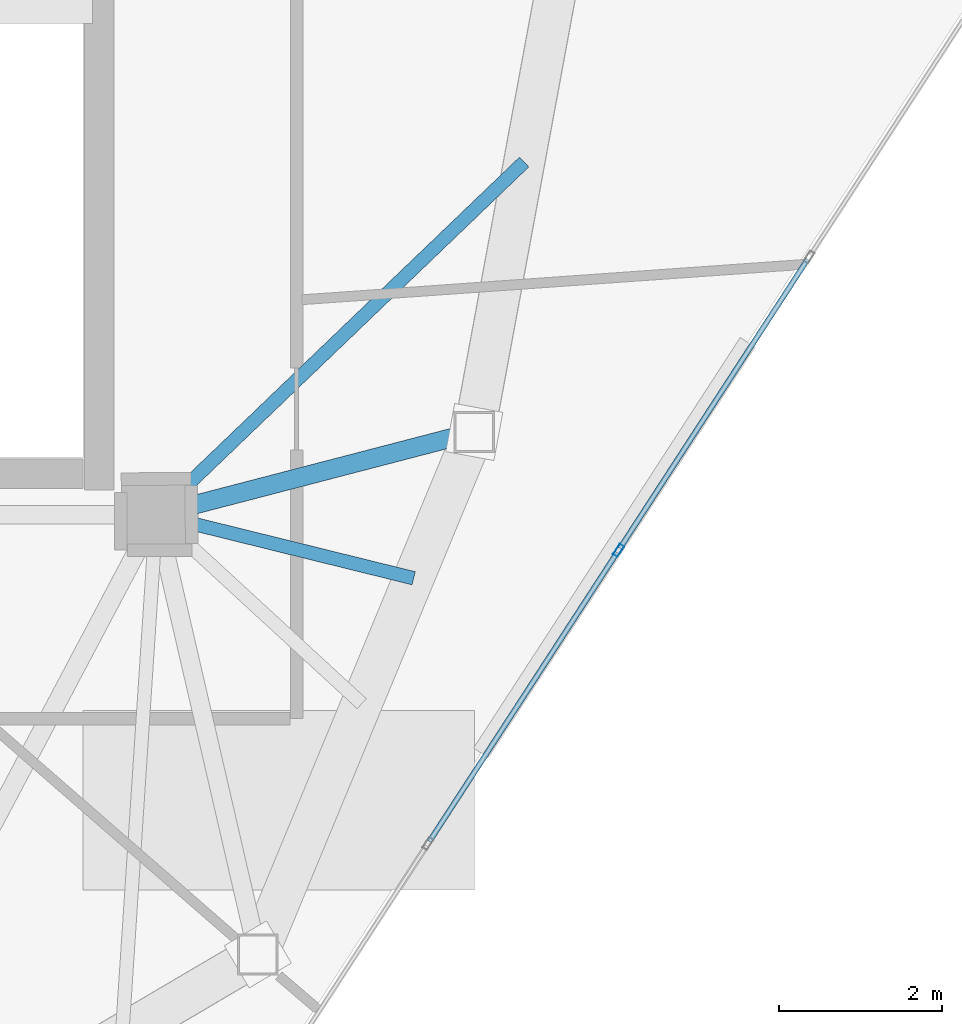
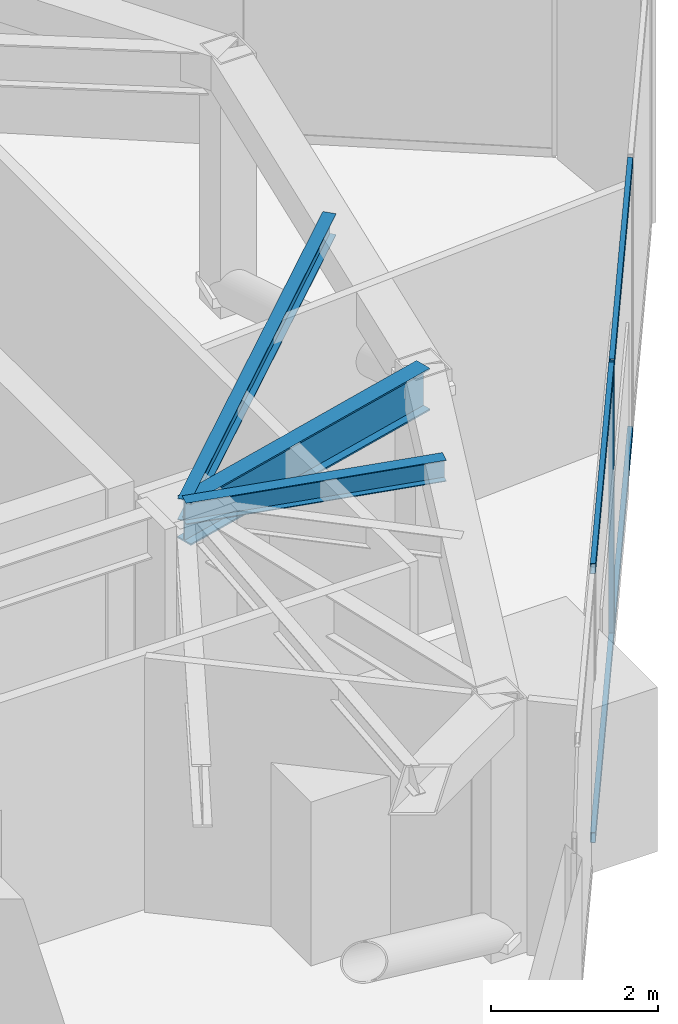
# One storey, part 8 of 20: 5 members, 3 beams, 1 element without a shape of its own.
"""IFC4 building model written with IfcOpenShell, lengths in metres."""

from ifc_helpers import new_model, si_unit, direction, frame, origin, origin_2d, place, context, subcontext, project, spatial, hollow_rectangle, i_section, extrude, source, transform, mapped, material, layer, layer_set, material_profile, profile_set, type_object, type_shapes, element, aggregate, save


model = new_model("IFC4")

# Units and contexts
model_context = context("Model", 3, precision=1e-05, world=origin(), true_north=direction((0.0, 1.0)))
body_context = subcontext(model_context, "Body", "Model", "MODEL_VIEW")
ifc_project = project(units=[si_unit("LENGTHUNIT", "METRE"), si_unit("AREAUNIT", "SQUARE_METRE"), si_unit("VOLUMEUNIT", "CUBIC_METRE"), si_unit("PLANEANGLEUNIT", "RADIAN"), si_unit("MASSUNIT", "GRAM", prefix="KILO")], contexts=[model_context])

# Site, building, storey
site_placement = place(None, origin())
site = spatial("IfcSite", under=ifc_project, at=site_placement, CompositionType="ELEMENT")
building_placement = place(site_placement, origin())
building = spatial("IfcBuilding", under=site, at=building_placement, Name="Talar Marvaseh", CompositionType="ELEMENT")
storey_placement = place(building_placement, frame((0.0, 0.0, 312.0)))
storey = spatial("IfcBuildingStorey", under=building, at=storey_placement, Name="L83", CompositionType="ELEMENT", Elevation=312.0)

# Beams
ifc_material_1 = material(Name="Steel S355", Category="steel")
ifc_material_profile_1 = material_profile(ifc_material_1, i_section(OverallWidth=0.166015625, OverallDepth=0.31298828125, WebThickness=0.006591796875, FlangeThickness=0.01123046875, at=origin_2d()), Name="W310x45")
ifc_profile_set_1 = profile_set([ifc_material_profile_1], Name="Steel S355")
beam_type_1 = type_object("IfcBeamType", Name="Zone 3 Secondary Floor Joist W310x45", PredefinedType="JOIST", material=ifc_profile_set_1)
beam_1_placement = place(storey_placement, frame((37.80859375, 29.822265625, 3.568603515625), z_axis=(-0.721862081493, -0.692036946486, 0.0), x_axis=(0.692036946486, -0.721862081493, 0.0)))
element("IfcBeam", 1, at=beam_1_placement, inside=storey, type_object=beam_type_1, Name="L83 Zone 3 Secondary Floor Joist W310x45", PredefinedType="JOIST", context=body_context, shape_type="SweptSolid", body=[
    extrude(i_section(OverallWidth=0.166015625, OverallDepth=0.31298828125, WebThickness=0.006591796875, FlangeThickness=0.01123046875, at=origin_2d()), origin(), (0.0, 0.0, 1.0), 6.24560546875),
])
beam_2_placement = place(storey_placement, frame((36.4541015625, 24.72119140625, 3.568603515625), z_axis=(-0.970841284349, 0.239723174942, 0.0), x_axis=(-0.239723174942, -0.970841284349, 0.0)))
element("IfcBeam", 2, at=beam_2_placement, inside=storey, type_object=beam_type_1, Name="L83 Zone 3 Secondary Floor Joist W310x45", PredefinedType="JOIST", context=body_context, shape_type="SweptSolid", body=[
    extrude(i_section(OverallWidth=0.166015625, OverallDepth=0.31298828125, WebThickness=0.006591796875, FlangeThickness=0.01123046875, at=origin_2d()), origin(), (0.0, 0.0, 1.0), 3.248779296875),
])
ifc_material_profile_2 = material_profile(ifc_material_1, i_section(OverallWidth=0.22998046875, OverallDepth=0.616943359375, WebThickness=0.01318359375, FlangeThickness=0.022216796875, at=origin_2d()), Name="W610x140")
ifc_profile_set_2 = profile_set([ifc_material_profile_2], Name="Steel S355")
beam_type_2 = type_object("IfcBeamType", Name="Zone 4 Radial Floor Girder W610x140", PredefinedType="BEAM", material=ifc_profile_set_2)
beam_3_placement = place(storey_placement, frame((37.197021484375, 26.513916015625, 3.41650390625), z_axis=(-0.967779967746, -0.251797406719, 0.0), x_axis=(0.251797406719, -0.967779967746, 0.0)))
element("IfcBeam", 3, at=beam_3_placement, inside=storey, type_object=beam_type_2, Name="L83 Zone 4 Radial Floor Girder W610x140", PredefinedType="BEAM", context=body_context, shape_type="SweptSolid", body=[
    extrude(i_section(OverallWidth=0.22998046875, OverallDepth=0.616943359375, WebThickness=0.01318359375, FlangeThickness=0.022216796875, at=origin_2d()), origin(), (0.0, 0.0, 1.0), 4.026611328125),
])

# Curtain wall, members
ifc_material_2 = material(Name="Architectural Aluminium", Category="aluminium")
ifc_layer = layer(ifc_material_2, 0.2099609375)
ifc_layer_set = layer_set([ifc_layer], Name="Architectural Aluminium")
curtain_wall_type = type_object("IfcCurtainWallType", Name="Crown Plant Acoustic Spandrel Curtain Wall", PredefinedType="NOTDEFINED", material=ifc_layer_set)
curtain_wall_placement = place(storey_placement, origin())
curtain_wall = element("IfcCurtainWall", 4, at=curtain_wall_placement, inside=storey, type_object=curtain_wall_type, Name="L83 Crown Plant Acoustic Spandrel Curtain Wall", PredefinedType="NOTDEFINED")
ifc_material_profile_3 = material_profile(ifc_material_2, hollow_rectangle(XDim=0.06494140625, YDim=0.14990234375, WallThickness=0.00390625, at=origin_2d()), Name="RHS150x65x4")
ifc_profile_set_3 = profile_set([ifc_material_profile_3], Name="Architectural Aluminium")
member_type_1 = type_object("IfcMemberType", Name="Unitised Curtain Wall Slim Transom RHS150x65x4", PredefinedType="USERDEFINED", material=ifc_profile_set_3)
shared_shape_1 = source(origin(), body_context, "Body", "SweptSolid", [
    extrude(hollow_rectangle(XDim=0.06494140625, YDim=0.14990234375, WallThickness=0.00390625, at=origin_2d()), origin(), (0.0, 0.0, 1.0), 4.221435546875),
])
member_1_placement = place(storey_placement, frame((38.947265625, 25.035888671875, 0.032470703125), z_axis=(-0.544785055814, -0.838575722855, 0.0), x_axis=(0.838575722855, -0.544785055814, 0.0)))
member_1 = element("IfcMember", 5, at=member_1_placement, type_object=member_type_1, Name="CW-CRN transom 3.1", ObjectType="TRANSOM", PredefinedType="USERDEFINED", context=body_context, shape_type="MappedRepresentation", body=[
    mapped(shared_shape_1, transform((0.0, 0.0, 0.0), x_axis=(1.0, 0.0, 0.0), y_axis=(0.0, 1.0, 0.0), z_axis=(0.0, 0.0, 1.0), scale=1.0)),
])
member_2_placement = place(storey_placement, frame((38.947265625, 25.035888671875, 3.967529296875), z_axis=(-0.544785055814, -0.838575722855, 0.0), x_axis=(0.838575722855, -0.544785055814, 0.0)))
member_2 = element("IfcMember", 6, at=member_2_placement, type_object=member_type_1, Name="CW-CRN transom 3.2", ObjectType="TRANSOM", PredefinedType="USERDEFINED", context=body_context, shape_type="MappedRepresentation", body=[
    mapped(shared_shape_1, transform((0.0, 0.0, 0.0), x_axis=(1.0, 0.0, 0.0), y_axis=(0.0, 1.0, 0.0), z_axis=(0.0, 0.0, 1.0), scale=1.0)),
])
shared_shape_2 = source(origin(), body_context, "Body", "SweptSolid", [
    extrude(hollow_rectangle(XDim=0.06494140625, YDim=0.14990234375, WallThickness=0.00390625, at=origin_2d()), origin(), (0.0, 0.0, 1.0), 4.22119140625),
])
type_shapes(member_type_1, [shared_shape_1, shared_shape_2])
member_3_placement = place(storey_placement, frame((41.2822265625, 28.630126953125, 0.032470703125), z_axis=(-0.544770806573, -0.838584979776, 0.0), x_axis=(0.838584979776, -0.544770806573, 0.0)))
member_3 = element("IfcMember", 7, at=member_3_placement, type_object=member_type_1, Name="CW-CRN transom 2.1", ObjectType="TRANSOM", PredefinedType="USERDEFINED", context=body_context, shape_type="MappedRepresentation", body=[
    mapped(shared_shape_2, transform((0.0, 0.0, 0.0), x_axis=(1.0, 0.0, 0.0), y_axis=(0.0, 1.0, 0.0), z_axis=(0.0, 0.0, 1.0), scale=1.0)),
])
member_4_placement = place(storey_placement, frame((41.2822265625, 28.630126953125, 3.967529296875), z_axis=(-0.544770806573, -0.838584979776, 0.0), x_axis=(0.838584979776, -0.544770806573, 0.0)))
member_4 = element("IfcMember", 8, at=member_4_placement, type_object=member_type_1, Name="CW-CRN transom 2.2", ObjectType="TRANSOM", PredefinedType="USERDEFINED", context=body_context, shape_type="MappedRepresentation", body=[
    mapped(shared_shape_2, transform((0.0, 0.0, 0.0), x_axis=(1.0, 0.0, 0.0), y_axis=(0.0, 1.0, 0.0), z_axis=(0.0, 0.0, 1.0), scale=1.0)),
])
ifc_material_profile_4 = material_profile(ifc_material_2, hollow_rectangle(XDim=0.06494140625, YDim=0.14990234375, WallThickness=0.00390625, at=origin_2d()), Name="RHS150x65x4")
ifc_profile_set_4 = profile_set([ifc_material_profile_4], Name="Architectural Aluminium")
member_type_2 = type_object("IfcMemberType", Name="Unitised Curtain Wall Slim Mullion RHS150x65x4", PredefinedType="MULLION", material=ifc_profile_set_4)
shared_shape_3 = source(origin(), body_context, "Body", "SweptSolid", [
    extrude(hollow_rectangle(XDim=0.06494140625, YDim=0.14990234375, WallThickness=0.00390625, at=origin_2d()), origin(), (0.0, 0.0, 1.0), 4.0),
])
type_shapes(member_type_2, [shared_shape_3])
member_5_placement = place(storey_placement, frame((38.96484375, 25.06298828125, 0.0), z_axis=(0.0, 0.0, 1.0), x_axis=(0.838585906919, -0.544769379387, 0.0)))
member_5 = element("IfcMember", 9, at=member_5_placement, type_object=member_type_2, Name="CW-CRN mullion 3", PredefinedType="MULLION", context=body_context, shape_type="MappedRepresentation", body=[
    mapped(shared_shape_3, transform((0.0, 0.0, 0.0), x_axis=(1.0, 0.0, 0.0), y_axis=(0.0, 1.0, 0.0), z_axis=(0.0, 0.0, 1.0), scale=1.0)),
])
aggregate(curtain_wall, [member_5, member_3, member_4, member_1, member_2])

save(model, "model.ifc")
